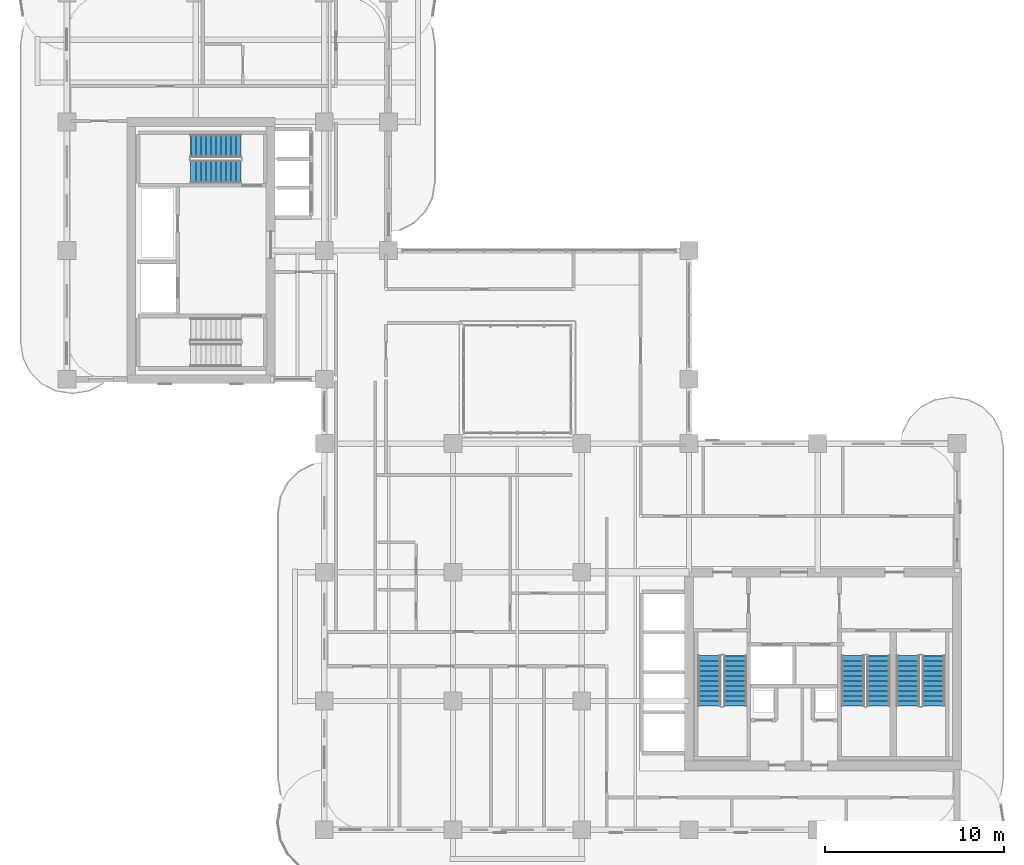
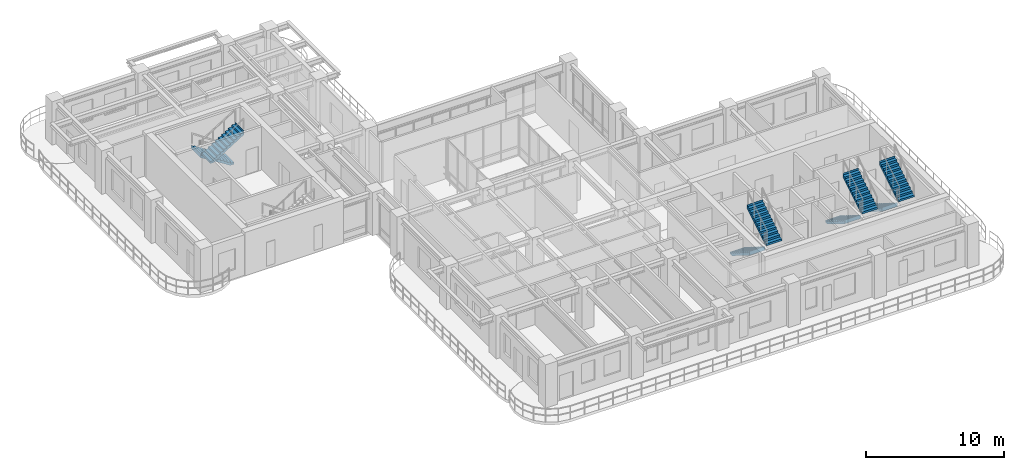
# One storey, part 16 of 20: 8 stair flights, 4 elements without a shape of their own.
"""IFC4 building model written with IfcOpenShell, lengths in metres."""

from ifc_helpers import new_model, si_unit, derived_unit, direction, frame, origin, place, context, subcontext, project, spatial, polyline, outline, extrude, source, transform, mapped, material, layer, layer_set, type_object, element, aggregate, save


model = new_model("IFC4")

# Units and contexts
model_context = context("Model", 3, precision=1e-05, world=origin(), true_north=direction((0.0, 1.0)))
body_context = subcontext(model_context, "Body", "Model", "MODEL_VIEW")
ifc_project = project(units=[si_unit("LENGTHUNIT", "METRE"), si_unit("AREAUNIT", "SQUARE_METRE"), si_unit("VOLUMEUNIT", "CUBIC_METRE"), si_unit("PLANEANGLEUNIT", "RADIAN"), si_unit("MASSUNIT", "GRAM", prefix="KILO"), si_unit("THERMODYNAMICTEMPERATUREUNIT", "KELVIN"), si_unit("POWERUNIT", "WATT"), derived_unit("THERMALTRANSMITTANCEUNIT", [(si_unit("POWERUNIT", "WATT"), 1), (si_unit("AREAUNIT", "SQUARE_METRE"), -1), (si_unit("THERMODYNAMICTEMPERATUREUNIT", "KELVIN"), -1)])], contexts=[model_context])

# Site, building, storey
site_placement = place(None, origin())
site = spatial("IfcSite", under=ifc_project, at=site_placement, CompositionType="ELEMENT")
building_placement = place(site_placement, origin())
building = spatial("IfcBuilding", under=site, at=building_placement, Name="Zahravan Archway Hotel and Residences", CompositionType="ELEMENT")
storey_placement = place(building_placement, frame((0.0, 0.0, 161.85009765625)))
storey = spatial("IfcBuildingStorey", under=building, at=storey_placement, Name="L40", CompositionType="ELEMENT", Elevation=161.85009765625)

# Stair, stair flights
ifc_material = material(Name="Concrete C50/60", Category="concrete")
stair_type = type_object("IfcStairType", Name="STR-CORE-1300", PredefinedType="HALF_TURN_STAIR", material=ifc_material)
stair_1_placement = place(storey_placement, origin())
stair_1 = element("IfcStair", 1, at=stair_1_placement, inside=storey, type_object=stair_type, Name="L40 Core A Exit Stair 1", PredefinedType="HALF_TURN_STAIR")
ifc_layer = layer(ifc_material, 0.199951171875, Name="Concrete C50/60", Category="concrete")
ifc_layer_set = layer_set([ifc_layer], Name="Concrete C50/60")
stair_flight_type = type_object("IfcStairFlightType", Name="SFL-CORE-1300", PredefinedType="STRAIGHT", material=ifc_layer_set)
shared_shape = source(origin(), body_context, "Body", "SweptSolid", [
    extrude(outline(polyline([(-0.01611328125, 0.0), (-0.01611328125, 0.175048828125), (0.280029296875, 0.175048828125), (0.280029296875, 0.35009765625), (0.56005859375, 0.35009765625), (0.56005859375, 0.52490234375), (0.840087890625, 0.52490234375), (0.840087890625, 0.699951171875), (1.1201171875, 0.699951171875), (1.1201171875, 0.875), (1.39990234375, 0.875), (1.39990234375, 1.050048828125), (1.679931640625, 1.050048828125), (1.679931640625, 1.22509765625), (1.9599609375, 1.22509765625), (1.9599609375, 1.39990234375), (2.239990234375, 1.39990234375), (2.239990234375, 1.574951171875), (2.52001953125, 1.574951171875), (2.52001953125, 1.75), (2.800048828125, 1.75), (2.800048828125, 1.925048828125), (2.816162109375, 1.925048828125), (2.816162109375, 1.5732421875), (0.28271484375, 0.0), (-0.01611328125, 0.0)])), frame((0.0, 0.64990234375, 0.0), z_axis=(0.0, -1.0, 0.0), x_axis=(1.0, 0.0, 0.0)), (0.0, 0.0, 1.0), 1.300048828125),
])
stair_flight_1_placement = place(storey_placement, frame((35.949951171875, 9.72998046875, 0.0), z_axis=(0.0, 0.0, 1.0), x_axis=(0.0, -1.0, 0.0)))
stair_flight_1 = element("IfcStairFlight", 2, at=stair_flight_1_placement, type_object=stair_flight_type, Name="ST-A1 flight 1", NumberOfRisers=11, NumberOfTreads=10, PredefinedType="STRAIGHT", RiserHeight=0.175, TreadLength=0.28, context=body_context, shape_type="MappedRepresentation", body=[
    mapped(shared_shape, transform((0.0, 0.0, 0.0), scale=1.0)),
])
stair_flight_2_placement = place(storey_placement, frame((37.389892578125, 6.929931640625, 1.9248046875), z_axis=(0.0, 0.0, 1.0), x_axis=(0.0, 1.0, 0.0)))
stair_flight_2 = element("IfcStairFlight", 3, at=stair_flight_2_placement, type_object=stair_flight_type, Name="ST-A1 flight 2", NumberOfRisers=11, NumberOfTreads=10, PredefinedType="STRAIGHT", RiserHeight=0.175, TreadLength=0.28, context=body_context, shape_type="MappedRepresentation", body=[
    mapped(shared_shape, transform((0.0, 0.0, 0.0), scale=1.0)),
])
aggregate(stair_1, [stair_flight_1, stair_flight_2])

stair_2_placement = place(storey_placement, origin())
stair_2 = element("IfcStair", 4, at=stair_2_placement, inside=storey, type_object=stair_type, Name="L40 Core A Exit Stair 2", PredefinedType="HALF_TURN_STAIR")
stair_flight_3_placement = place(storey_placement, frame((43.969970703125, 9.72998046875, 0.0), z_axis=(0.0, 0.0, 1.0), x_axis=(0.0, -1.0, 0.0)))
stair_flight_3 = element("IfcStairFlight", 5, at=stair_flight_3_placement, type_object=stair_flight_type, Name="ST-A2 flight 1", NumberOfRisers=11, NumberOfTreads=10, PredefinedType="STRAIGHT", RiserHeight=0.175, TreadLength=0.28, context=body_context, shape_type="MappedRepresentation", body=[
    mapped(shared_shape, transform((0.0, 0.0, 0.0), scale=1.0)),
])
stair_flight_4_placement = place(storey_placement, frame((45.409912109375, 6.929931640625, 1.9248046875), z_axis=(0.0, 0.0, 1.0), x_axis=(0.0, 1.0, 0.0)))
stair_flight_4 = element("IfcStairFlight", 6, at=stair_flight_4_placement, type_object=stair_flight_type, Name="ST-A2 flight 2", NumberOfRisers=11, NumberOfTreads=10, PredefinedType="STRAIGHT", RiserHeight=0.175, TreadLength=0.28, context=body_context, shape_type="MappedRepresentation", body=[
    mapped(shared_shape, transform((0.0, 0.0, 0.0), scale=1.0)),
])
aggregate(stair_2, [stair_flight_3, stair_flight_4])

stair_3_placement = place(storey_placement, origin())
stair_3 = element("IfcStair", 7, at=stair_3_placement, inside=storey, type_object=stair_type, Name="L40 Core A Exit Stair 3", PredefinedType="HALF_TURN_STAIR")
stair_flight_5_placement = place(storey_placement, frame((47.050048828125, 9.72998046875, 0.0), z_axis=(0.0, 0.0, 1.0), x_axis=(0.0, -1.0, 0.0)))
stair_flight_5 = element("IfcStairFlight", 8, at=stair_flight_5_placement, type_object=stair_flight_type, Name="ST-A3 flight 1", NumberOfRisers=11, NumberOfTreads=10, PredefinedType="STRAIGHT", RiserHeight=0.175, TreadLength=0.28, context=body_context, shape_type="MappedRepresentation", body=[
    mapped(shared_shape, transform((0.0, 0.0, 0.0), scale=1.0)),
])
stair_flight_6_placement = place(storey_placement, frame((48.489990234375, 6.929931640625, 1.9248046875), z_axis=(0.0, 0.0, 1.0), x_axis=(0.0, 1.0, 0.0)))
stair_flight_6 = element("IfcStairFlight", 9, at=stair_flight_6_placement, type_object=stair_flight_type, Name="ST-A3 flight 2", NumberOfRisers=11, NumberOfTreads=10, PredefinedType="STRAIGHT", RiserHeight=0.175, TreadLength=0.28, context=body_context, shape_type="MappedRepresentation", body=[
    mapped(shared_shape, transform((0.0, 0.0, 0.0), scale=1.0)),
])
aggregate(stair_3, [stair_flight_5, stair_flight_6])

stair_4_placement = place(storey_placement, origin())
stair_4 = element("IfcStair", 10, at=stair_4_placement, inside=storey, type_object=stair_type, Name="L40 Core B Exit Stair 2", PredefinedType="HALF_TURN_STAIR")
stair_flight_7_placement = place(storey_placement, frame((9.72998046875, 38.25, 0.0), z_axis=(0.0, 0.0, 1.0), x_axis=(-1.0, 0.0, 0.0)))
stair_flight_7 = element("IfcStairFlight", 11, at=stair_flight_7_placement, type_object=stair_flight_type, Name="ST-B2 flight 1", NumberOfRisers=11, NumberOfTreads=10, PredefinedType="STRAIGHT", RiserHeight=0.175, TreadLength=0.28, context=body_context, shape_type="MappedRepresentation", body=[
    mapped(shared_shape, transform((0.0, 0.0, 0.0), scale=1.0)),
])
stair_flight_8_placement = place(storey_placement, frame((6.929931640625, 36.81005859375, 1.9248046875), z_axis=(0.0, 0.0, 1.0), x_axis=(1.0, 0.0, 0.0)))
stair_flight_8 = element("IfcStairFlight", 12, at=stair_flight_8_placement, type_object=stair_flight_type, Name="ST-B2 flight 2", NumberOfRisers=11, NumberOfTreads=10, PredefinedType="STRAIGHT", RiserHeight=0.175, TreadLength=0.28, context=body_context, shape_type="MappedRepresentation", body=[
    mapped(shared_shape, transform((0.0, 0.0, 0.0), scale=1.0)),
])
aggregate(stair_4, [stair_flight_7, stair_flight_8])

save(model, "model.ifc")
